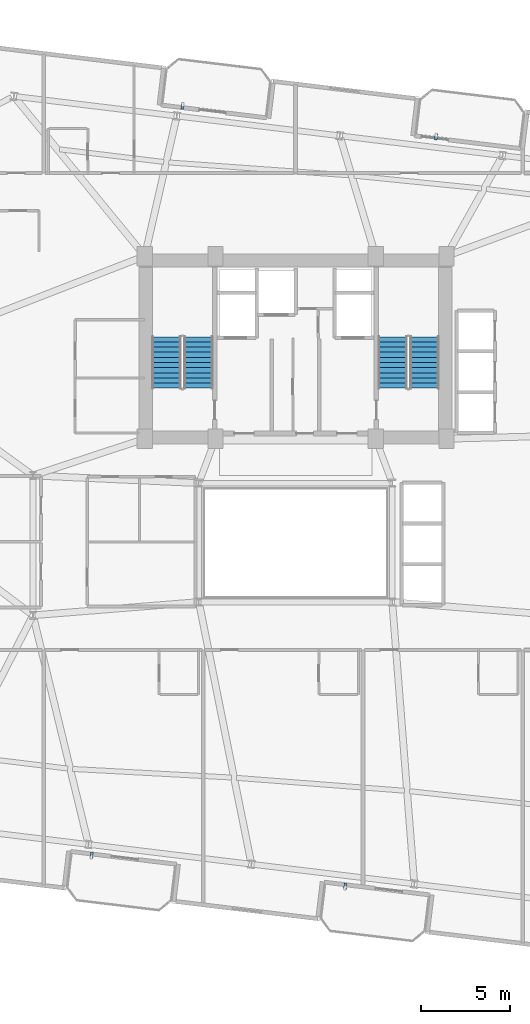
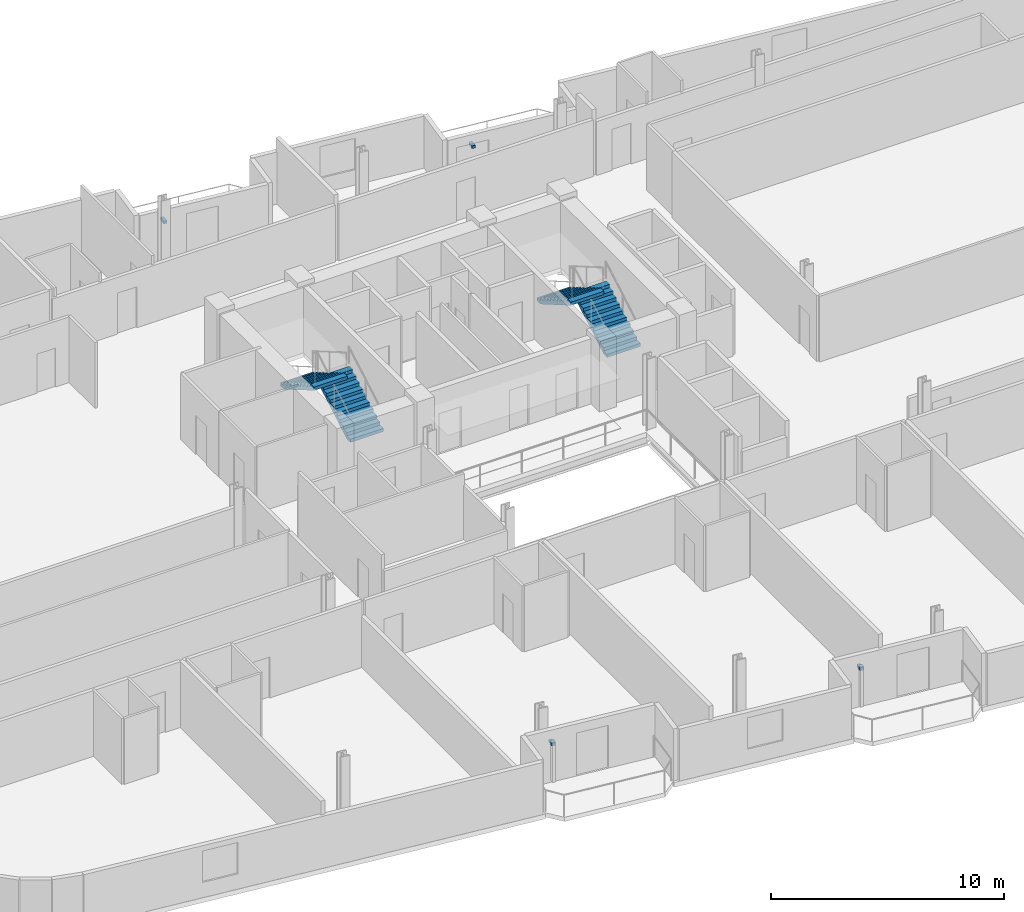
# One storey, part 24 of 26: 4 discrete accessories, 4 stair flights, 2 elements without a shape of their own.
"""IFC4 building model written with IfcOpenShell, lengths in metres."""

from ifc_helpers import new_model, si_unit, direction, frame, origin, origin_2d, place, context, subcontext, project, spatial, polyline, rectangle, outline, extrude, source, transform, mapped, material, type_object, element, aggregate, save


model = new_model("IFC4")

# Units and contexts
model_context = context("Model", 3, precision=1e-05, world=origin(), true_north=direction((0.0, 1.0)))
body_context = subcontext(model_context, "Body", "Model", "MODEL_VIEW")
ifc_project = project(units=[si_unit("LENGTHUNIT", "METRE"), si_unit("AREAUNIT", "SQUARE_METRE"), si_unit("VOLUMEUNIT", "CUBIC_METRE"), si_unit("PLANEANGLEUNIT", "RADIAN"), si_unit("MASSUNIT", "GRAM", prefix="KILO")], contexts=[model_context])

# Site, building, storey
site_placement = place(None, origin())
site = spatial("IfcSite", under=ifc_project, at=site_placement, CompositionType="ELEMENT")
building_placement = place(site_placement, origin())
building = spatial("IfcBuilding", under=site, at=building_placement, Name="Varnelok Gate Tower", CompositionType="ELEMENT")
storey_placement = place(building_placement, frame((0.0, 0.0, 143.89990234375)))
storey = spatial("IfcBuildingStorey", under=building, at=storey_placement, Name="L36", CompositionType="ELEMENT", Elevation=143.89990234375)

# Stair, stair flights
ifc_material_1 = material(Name="Concrete C50/60", Category="concrete")
stair_type = type_object("IfcStairType", Name="STR-CORE-1650", PredefinedType="HALF_TURN_STAIR", material=ifc_material_1)
stair_1_placement = place(storey_placement, origin())
stair_1 = element("IfcStair", 1, at=stair_1_placement, inside=storey, type_object=stair_type, Name="L36 Exit Stair ST-1", PredefinedType="HALF_TURN_STAIR")
stair_flight_type = type_object("IfcStairFlightType", Name="SFL-CORE-1650", PredefinedType="STRAIGHT", material=ifc_material_1)
stair_flight_1_placement = place(storey_placement, frame((33.72509765625, 31.60009765625, 0.0), z_axis=(0.0, 0.0, 1.0), x_axis=(0.0, 1.0, 0.0)))
stair_flight_1 = element("IfcStairFlight", 2, at=stair_flight_1_placement, type_object=stair_flight_type, Name="ST-1 flight 1", NumberOfRisers=11, NumberOfTreads=10, PredefinedType="STRAIGHT", RiserHeight=0.168181818, TreadLength=0.29, context=body_context, shape_type="SweptSolid", body=[
    extrude(outline(polyline([(0.0, 0.0), (0.0, 0.168212890625), (0.2900390625, 0.168212890625), (0.2900390625, 0.33642578125), (0.580078125, 0.33642578125), (0.580078125, 0.504638671875), (0.8701171875, 0.504638671875), (0.8701171875, 0.672607421875), (1.159912109375, 0.672607421875), (1.159912109375, 0.8408203125), (1.449951171875, 0.8408203125), (1.449951171875, 1.009033203125), (1.739990234375, 1.009033203125), (1.739990234375, 1.17724609375), (2.030029296875, 1.17724609375), (2.030029296875, 1.345458984375), (2.320068359375, 1.345458984375), (2.320068359375, 1.513671875), (2.610107421875, 1.513671875), (2.610107421875, 1.681884765625), (2.89990234375, 1.681884765625), (2.89990234375, 1.85009765625), (2.89990234375, 1.508544921875), (0.298828125, 0.0), (0.0, 0.0)])), frame((0.0, 0.824951171875, 0.0), z_axis=(0.0, -1.0, 0.0), x_axis=(1.0, 0.0, 0.0)), (0.0, 0.0, 1.0), 1.64990234375),
])
stair_flight_2_placement = place(storey_placement, frame((31.925048828125, 34.5, 1.85009765625), z_axis=(0.0, 0.0, 1.0), x_axis=(0.0, -1.0, 0.0)))
stair_flight_2 = element("IfcStairFlight", 3, at=stair_flight_2_placement, type_object=stair_flight_type, Name="ST-1 flight 2", NumberOfRisers=11, NumberOfTreads=10, PredefinedType="STRAIGHT", RiserHeight=0.168181818, TreadLength=0.29, context=body_context, shape_type="SweptSolid", body=[
    extrude(outline(polyline([(0.0, 0.0), (0.0, 0.168212890625), (0.2900390625, 0.168212890625), (0.2900390625, 0.33642578125), (0.580078125, 0.33642578125), (0.580078125, 0.504638671875), (0.8701171875, 0.504638671875), (0.8701171875, 0.672607421875), (1.159912109375, 0.672607421875), (1.159912109375, 0.8408203125), (1.449951171875, 0.8408203125), (1.449951171875, 1.009033203125), (1.739990234375, 1.009033203125), (1.739990234375, 1.17724609375), (2.030029296875, 1.17724609375), (2.030029296875, 1.345458984375), (2.320068359375, 1.345458984375), (2.320068359375, 1.513671875), (2.610107421875, 1.513671875), (2.610107421875, 1.681884765625), (2.89990234375, 1.681884765625), (2.89990234375, 1.85009765625), (2.89990234375, 1.508544921875), (0.298828125, 0.0), (0.0, 0.0)])), frame((0.0, 0.824951171875, 0.0), z_axis=(0.0, -1.0, 0.0), x_axis=(1.0, 0.0, 0.0)), (0.0, 0.0, 1.0), 1.64990234375),
])
aggregate(stair_1, [stair_flight_1, stair_flight_2])

stair_2_placement = place(storey_placement, origin())
stair_2 = element("IfcStair", 4, at=stair_2_placement, inside=storey, type_object=stair_type, Name="L36 Exit Stair ST-2", PredefinedType="HALF_TURN_STAIR")
stair_flight_3_placement = place(storey_placement, frame((46.47509765625, 31.60009765625, 0.0), z_axis=(0.0, 0.0, 1.0), x_axis=(0.0, 1.0, 0.0)))
stair_flight_3 = element("IfcStairFlight", 5, at=stair_flight_3_placement, type_object=stair_flight_type, Name="ST-2 flight 1", NumberOfRisers=11, NumberOfTreads=10, PredefinedType="STRAIGHT", RiserHeight=0.168181818, TreadLength=0.29, context=body_context, shape_type="SweptSolid", body=[
    extrude(outline(polyline([(0.0, 0.0), (0.0, 0.168212890625), (0.2900390625, 0.168212890625), (0.2900390625, 0.33642578125), (0.580078125, 0.33642578125), (0.580078125, 0.504638671875), (0.8701171875, 0.504638671875), (0.8701171875, 0.672607421875), (1.159912109375, 0.672607421875), (1.159912109375, 0.8408203125), (1.449951171875, 0.8408203125), (1.449951171875, 1.009033203125), (1.739990234375, 1.009033203125), (1.739990234375, 1.17724609375), (2.030029296875, 1.17724609375), (2.030029296875, 1.345458984375), (2.320068359375, 1.345458984375), (2.320068359375, 1.513671875), (2.610107421875, 1.513671875), (2.610107421875, 1.681884765625), (2.89990234375, 1.681884765625), (2.89990234375, 1.85009765625), (2.89990234375, 1.508544921875), (0.298828125, 0.0), (0.0, 0.0)])), frame((0.0, 0.824951171875, 0.0), z_axis=(0.0, -1.0, 0.0), x_axis=(1.0, 0.0, 0.0)), (0.0, 0.0, 1.0), 1.64990234375),
])
stair_flight_4_placement = place(storey_placement, frame((44.675048828125, 34.5, 1.85009765625), z_axis=(0.0, 0.0, 1.0), x_axis=(0.0, -1.0, 0.0)))
stair_flight_4 = element("IfcStairFlight", 6, at=stair_flight_4_placement, type_object=stair_flight_type, Name="ST-2 flight 2", NumberOfRisers=11, NumberOfTreads=10, PredefinedType="STRAIGHT", RiserHeight=0.168181818, TreadLength=0.29, context=body_context, shape_type="SweptSolid", body=[
    extrude(outline(polyline([(0.0, 0.0), (0.0, 0.168212890625), (0.2900390625, 0.168212890625), (0.2900390625, 0.33642578125), (0.580078125, 0.33642578125), (0.580078125, 0.504638671875), (0.8701171875, 0.504638671875), (0.8701171875, 0.672607421875), (1.159912109375, 0.672607421875), (1.159912109375, 0.8408203125), (1.449951171875, 0.8408203125), (1.449951171875, 1.009033203125), (1.739990234375, 1.009033203125), (1.739990234375, 1.17724609375), (2.030029296875, 1.17724609375), (2.030029296875, 1.345458984375), (2.320068359375, 1.345458984375), (2.320068359375, 1.513671875), (2.610107421875, 1.513671875), (2.610107421875, 1.681884765625), (2.89990234375, 1.681884765625), (2.89990234375, 1.85009765625), (2.89990234375, 1.508544921875), (0.298828125, 0.0), (0.0, 0.0)])), frame((0.0, 0.824951171875, 0.0), z_axis=(0.0, -1.0, 0.0), x_axis=(1.0, 0.0, 0.0)), (0.0, 0.0, 1.0), 1.64990234375),
])
aggregate(stair_2, [stair_flight_3, stair_flight_4])

# Discrete accessories
ifc_material_2 = material(Name="Structural Steel ASTM A500 Grade C", Category="steel")
discrete_accessory_type = type_object("IfcDiscreteAccessoryType", Name="ACC-BAGUETTE-BRK", PredefinedType="BRACKET", material=ifc_material_2)
shared_shape = source(origin(), body_context, "Body", "SweptSolid", [
    extrude(rectangle(XDim=0.159912109375, YDim=0.340087890625, at=origin_2d()), origin(), (0.0, 0.0, 1.0), 0.139892578125),
])
for number, where, z_axis, x_axis, name in (
    (7, (27.705810546875, 5.267578125, 1.97998046875), (0.0, 0.0, 1.0), (0.992732158755, -0.12034475881, 0.0), "L36 Terracotta Baguette Bracket 1.1"),
    (8, (42.0009765625, 3.53466796875, 1.97998046875), (0.0, 0.0, 1.0), (0.992732158755, -0.12034475881, 0.0), "L36 Terracotta Baguette Bracket 2.1"),
    (9, (32.8251953125, 47.49853515625, 1.97998046875), (0.0, 0.0, 1.0), (0.992732158755, -0.12034475881, 0.0), "L36 Terracotta Baguette Bracket 3.1"),
    (10, (47.12060546875, 45.765625, 1.97998046875), (0.0, 0.0, 1.0), (0.992732158755, -0.12034475881, 0.0), "L36 Terracotta Baguette Bracket 4.1"),
):
    element("IfcDiscreteAccessory", number, at=place(storey_placement, frame(where, z_axis=z_axis, x_axis=x_axis)), inside=storey, type_object=discrete_accessory_type, Name=name, PredefinedType="BRACKET", context=body_context, shape_type="MappedRepresentation", body=[
        mapped(shared_shape, transform((0.0, 0.0, 0.0), scale=1.0)),
    ])

save(model, "model.ifc")
